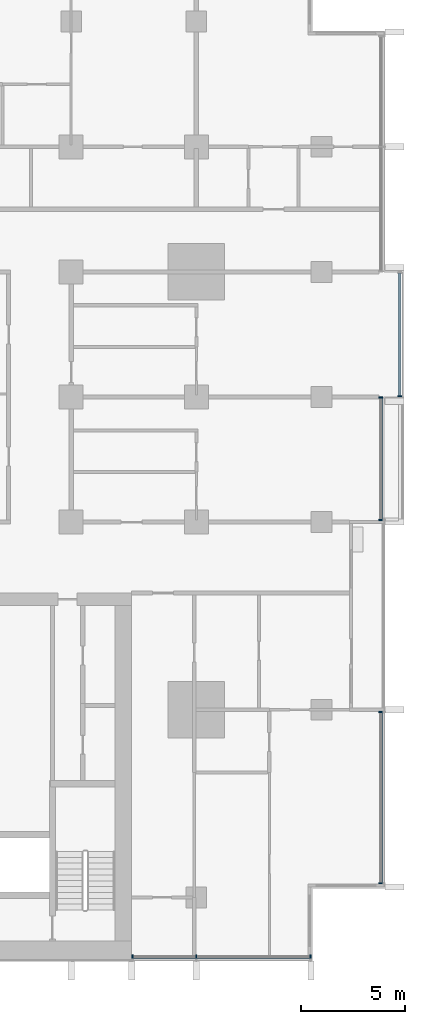
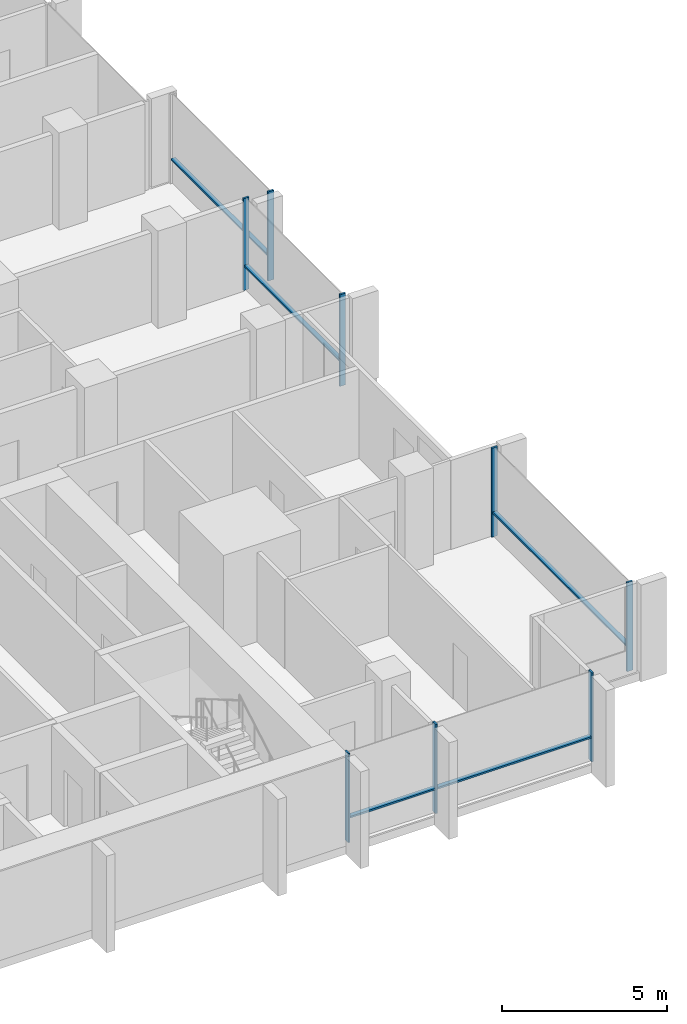
# One storey, part 3 of 17: 13 members, 4 elements without a shape of their own.
"""IFC4 building model written with IfcOpenShell, lengths in metres."""

from ifc_helpers import new_model, si_unit, direction, frame, origin, origin_2d, place, context, subcontext, project, spatial, rectangle, extrude, material, material_profile, profile_set, type_object, element, aggregate, save


model = new_model("IFC4")

# Units and contexts
model_context = context("Model", 3, precision=1e-05, world=origin(), true_north=direction((0.0, 1.0)))
body_context = subcontext(model_context, "Body", "Model", "MODEL_VIEW")
ifc_project = project(units=[si_unit("LENGTHUNIT", "METRE"), si_unit("AREAUNIT", "SQUARE_METRE"), si_unit("VOLUMEUNIT", "CUBIC_METRE"), si_unit("PLANEANGLEUNIT", "RADIAN"), si_unit("MASSUNIT", "GRAM", prefix="KILO")], contexts=[model_context])

# Site, building, storey
site_placement = place(None, origin())
site = spatial("IfcSite", under=ifc_project, at=site_placement, CompositionType="ELEMENT")
building_placement = place(site_placement, origin())
building = spatial("IfcBuilding", under=site, at=building_placement, Name="Finial Court Residences", CompositionType="ELEMENT")
storey_placement = place(building_placement, frame((0.0, 0.0, 102.699951171875)))
storey = spatial("IfcBuildingStorey", under=building, at=storey_placement, Name="L25", CompositionType="ELEMENT", Elevation=102.699951171875)

# Curtain wall, members
ifc_material = material(Name="Bronze anodised aluminium", Category="aluminium")
curtain_wall_type = type_object("IfcCurtainWallType", Name="Unitised curtain wall, lower and middle zones", PredefinedType="NOTDEFINED", material=ifc_material)
curtain_wall_1_placement = place(storey_placement, origin())
curtain_wall_1 = element("IfcCurtainWall", 1, at=curtain_wall_1_placement, inside=storey, type_object=curtain_wall_type, Name="E-L25-CW-E5", PredefinedType="NOTDEFINED")
ifc_material_profile_1 = material_profile(ifc_material, rectangle(XDim=0.199951171875, YDim=0.06494140625, at=origin_2d()), Name="CW1 mullion 65 x 200")
ifc_profile_set_1 = profile_set([ifc_material_profile_1], Name="Bronze anodised aluminium")
member_type_1 = type_object("IfcMemberType", Name="CW1 mullion 65 x 200", PredefinedType="MULLION", material=ifc_profile_set_1)
member_1_placement = place(storey_placement, frame((25.35009765625, -21.8173828125, 0.0), z_axis=(0.0, 0.0, 1.0), x_axis=(-1.0, 0.0, 0.0)))
member_1 = element("IfcMember", 2, at=member_1_placement, type_object=member_type_1, Name="CW1 mullion 1", PredefinedType="MULLION", context=body_context, shape_type="SweptSolid", body=[
    extrude(rectangle(XDim=0.199951171875, YDim=0.06494140625, at=origin_2d()), origin(), (0.0, 0.0, 1.0), 3.300048828125),
])
member_2_placement = place(storey_placement, frame((25.35009765625, -13.607421875, 0.0), z_axis=(0.0, 0.0, 1.0), x_axis=(-1.0, 0.0, 0.0)))
member_2 = element("IfcMember", 3, at=member_2_placement, type_object=member_type_1, Name="CW1 mullion 2", PredefinedType="MULLION", context=body_context, shape_type="SweptSolid", body=[
    extrude(rectangle(XDim=0.199951171875, YDim=0.06494140625, at=origin_2d()), origin(), (0.0, 0.0, 1.0), 3.300048828125),
])

curtain_wall_2_placement = place(storey_placement, origin())
curtain_wall_2 = element("IfcCurtainWall", 4, at=curtain_wall_2_placement, inside=storey, type_object=curtain_wall_type, Name="E-L25-CW-E6", PredefinedType="NOTDEFINED")
member_3_placement = place(storey_placement, frame((25.35009765625, -4.392578125, 0.0), z_axis=(0.0, 0.0, 1.0), x_axis=(-1.0, 0.0, 0.0)))
member_3 = element("IfcMember", 5, at=member_3_placement, type_object=member_type_1, Name="CW1 mullion 1", PredefinedType="MULLION", context=body_context, shape_type="SweptSolid", body=[
    extrude(rectangle(XDim=0.199951171875, YDim=0.06494140625, at=origin_2d()), origin(), (0.0, 0.0, 1.0), 3.400146484375),
])
member_4_placement = place(storey_placement, frame((25.35009765625, 1.467529296875, 0.0), z_axis=(0.0, 0.0, 1.0), x_axis=(-1.0, 0.0, 0.0)))
member_4 = element("IfcMember", 6, at=member_4_placement, type_object=member_type_1, Name="CW1 mullion 2", PredefinedType="MULLION", context=body_context, shape_type="SweptSolid", body=[
    extrude(rectangle(XDim=0.199951171875, YDim=0.06494140625, at=origin_2d()), origin(), (0.0, 0.0, 1.0), 3.400146484375),
])

# Curtain wall, member
curtain_wall_3_placement = place(storey_placement, origin())
curtain_wall_3 = element("IfcCurtainWall", 7, at=curtain_wall_3_placement, inside=storey, type_object=curtain_wall_type, Name="E-L25-CW-E7", PredefinedType="NOTDEFINED")
member_5_placement = place(storey_placement, frame((26.25, 1.532470703125, 0.0), z_axis=(0.0, 0.0, 1.0), x_axis=(-1.0, 0.0, 0.0)))
member_5 = element("IfcMember", 8, at=member_5_placement, type_object=member_type_1, Name="CW1 mullion 1", PredefinedType="MULLION", context=body_context, shape_type="SweptSolid", body=[
    extrude(rectangle(XDim=0.199951171875, YDim=0.06494140625, at=origin_2d()), origin(), (0.0, 0.0, 1.0), 3.300048828125),
])

# Curtain wall, members
curtain_wall_4_placement = place(storey_placement, origin())
curtain_wall_4 = element("IfcCurtainWall", 9, at=curtain_wall_4_placement, inside=storey, type_object=curtain_wall_type, Name="E-L25-CW-S10", PredefinedType="NOTDEFINED")
member_6_placement = place(storey_placement, frame((13.4326171875, -25.35009765625, 0.0), z_axis=(0.0, 0.0, 1.0), x_axis=(0.0, 1.0, 0.0)))
member_6 = element("IfcMember", 10, at=member_6_placement, type_object=member_type_1, Name="CW1 mullion 1", PredefinedType="MULLION", context=body_context, shape_type="SweptSolid", body=[
    extrude(rectangle(XDim=0.199951171875, YDim=0.06494140625, at=origin_2d()), origin(), (0.0, 0.0, 1.0), 3.300048828125),
])
member_7_placement = place(storey_placement, frame((16.5, -25.35009765625, 0.0), z_axis=(0.0, 0.0, 1.0), x_axis=(0.0, 1.0, 0.0)))
member_7 = element("IfcMember", 11, at=member_7_placement, type_object=member_type_1, Name="CW1 mullion 2", PredefinedType="MULLION", context=body_context, shape_type="SweptSolid", body=[
    extrude(rectangle(XDim=0.199951171875, YDim=0.06494140625, at=origin_2d()), origin(), (0.0, 0.0, 1.0), 3.300048828125),
])
member_8_placement = place(storey_placement, frame((21.967529296875, -25.35009765625, 0.0), z_axis=(0.0, 0.0, 1.0), x_axis=(0.0, 1.0, 0.0)))
member_8 = element("IfcMember", 12, at=member_8_placement, type_object=member_type_1, Name="CW1 mullion 3", PredefinedType="MULLION", context=body_context, shape_type="SweptSolid", body=[
    extrude(rectangle(XDim=0.199951171875, YDim=0.06494140625, at=origin_2d()), origin(), (0.0, 0.0, 1.0), 3.300048828125),
])

# Member
ifc_material_profile_2 = material_profile(ifc_material, rectangle(XDim=0.14990234375, YDim=0.06494140625, at=origin_2d()), Name="CW1 transom 65 x 150")
ifc_profile_set_2 = profile_set([ifc_material_profile_2], Name="Bronze anodised aluminium")
member_type_2 = type_object("IfcMemberType", Name="CW1 transom 65 x 150", PredefinedType="USERDEFINED", material=ifc_profile_set_2)
member_9_placement = place(storey_placement, frame((25.35009765625, -21.784912109375, 0.900146484375), z_axis=(0.0, 1.0, 0.0), x_axis=(-1.0, 0.0, 0.0)))
member_9 = element("IfcMember", 13, at=member_9_placement, type_object=member_type_2, Name="CW1 transom 1.1", ObjectType="TRANSOM", PredefinedType="USERDEFINED", context=body_context, shape_type="SweptSolid", body=[
    extrude(rectangle(XDim=0.14990234375, YDim=0.06494140625, at=origin_2d()), origin(), (0.0, 0.0, 1.0), 8.14501953125),
])

aggregate(curtain_wall_1, [member_1, member_2, member_9])

member_10_placement = place(storey_placement, frame((25.35009765625, -4.360107421875, 0.900146484375), z_axis=(0.0, 1.0, 0.0), x_axis=(-1.0, 0.0, 0.0)))
member_10 = element("IfcMember", 14, at=member_10_placement, type_object=member_type_2, Name="CW1 transom 1.1", ObjectType="TRANSOM", PredefinedType="USERDEFINED", context=body_context, shape_type="SweptSolid", body=[
    extrude(rectangle(XDim=0.14990234375, YDim=0.06494140625, at=origin_2d()), origin(), (0.0, 0.0, 1.0), 5.795166015625),
])

aggregate(curtain_wall_2, [member_3, member_4, member_10])

member_11_placement = place(storey_placement, frame((26.25, 1.56494140625, 0.900146484375), z_axis=(0.0, 1.0, 0.0), x_axis=(-1.0, 0.0, 0.0)))
member_11 = element("IfcMember", 15, at=member_11_placement, type_object=member_type_2, Name="CW1 transom 1.1", ObjectType="TRANSOM", PredefinedType="USERDEFINED", context=body_context, shape_type="SweptSolid", body=[
    extrude(rectangle(XDim=0.14990234375, YDim=0.06494140625, at=origin_2d()), origin(), (0.0, 0.0, 1.0), 5.8701171875),
])

aggregate(curtain_wall_3, [member_5, member_11])

member_12_placement = place(storey_placement, frame((13.465087890625, -25.35009765625, 0.900146484375), z_axis=(1.0, 0.0, 0.0), x_axis=(0.0, 1.0, 0.0)))
member_12 = element("IfcMember", 16, at=member_12_placement, type_object=member_type_2, Name="CW1 transom 1.1", ObjectType="TRANSOM", PredefinedType="USERDEFINED", context=body_context, shape_type="SweptSolid", body=[
    extrude(rectangle(XDim=0.14990234375, YDim=0.06494140625, at=origin_2d()), origin(), (0.0, 0.0, 1.0), 3.00244140625),
])

member_13_placement = place(storey_placement, frame((16.532470703125, -25.35009765625, 0.900146484375), z_axis=(1.0, 0.0, 0.0), x_axis=(0.0, 1.0, 0.0)))
member_13 = element("IfcMember", 17, at=member_13_placement, type_object=member_type_2, Name="CW1 transom 2.1", ObjectType="TRANSOM", PredefinedType="USERDEFINED", context=body_context, shape_type="SweptSolid", body=[
    extrude(rectangle(XDim=0.14990234375, YDim=0.06494140625, at=origin_2d()), origin(), (0.0, 0.0, 1.0), 5.402587890625),
])

aggregate(curtain_wall_4, [member_6, member_7, member_8, member_12, member_13])

save(model, "model.ifc")
